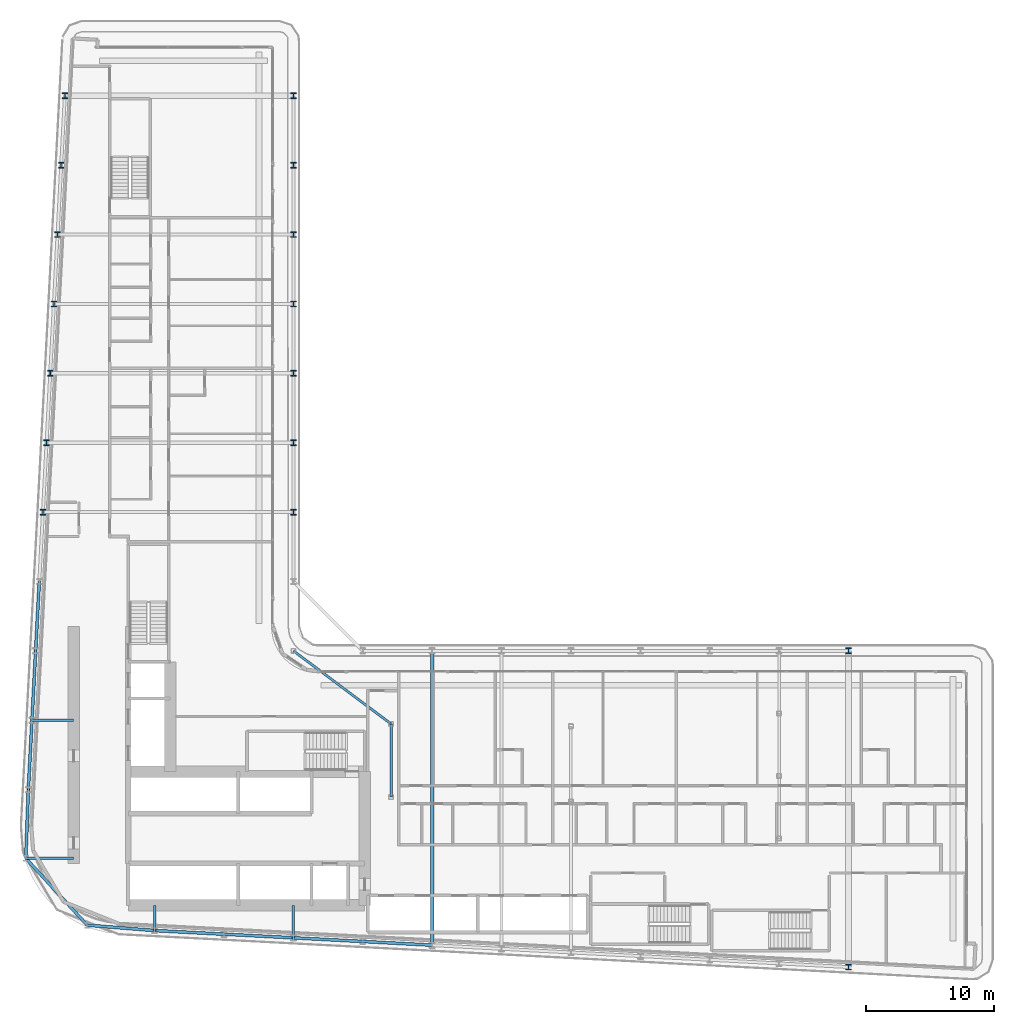
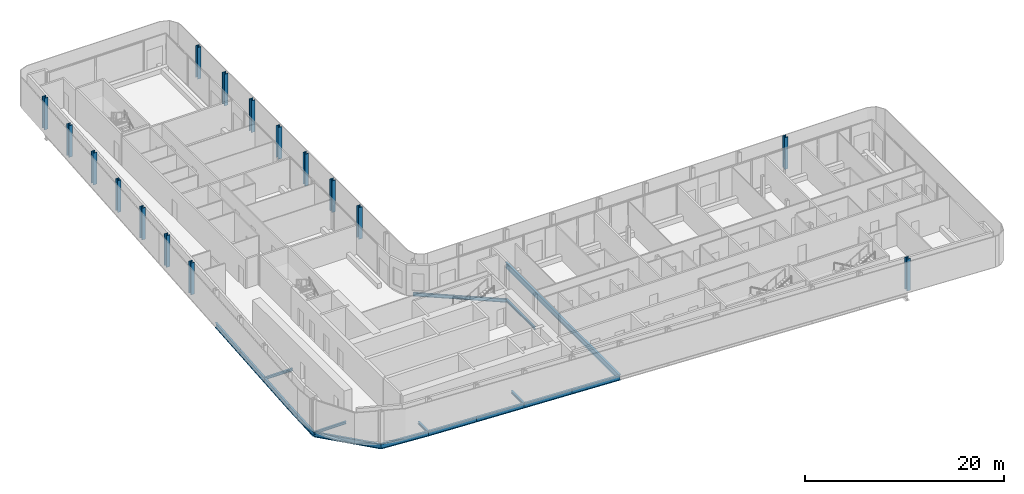
# One storey, part 3 of 26: 17 beams, 16 columns.
"""IFC4 building model written with IfcOpenShell, lengths in metres."""

from ifc_helpers import new_model, si_unit, direction, frame, origin, origin_2d, place, context, subcontext, project, spatial, i_section, extrude, material, material_profile, profile_set, type_object, element, save


model = new_model("IFC4")

# Units and contexts
model_context = context("Model", 3, precision=1e-05, world=origin(), true_north=direction((0.0, 1.0)))
body_context = subcontext(model_context, "Body", "Model", "MODEL_VIEW")
ifc_project = project(units=[si_unit("LENGTHUNIT", "METRE"), si_unit("AREAUNIT", "SQUARE_METRE"), si_unit("VOLUMEUNIT", "CUBIC_METRE"), si_unit("PLANEANGLEUNIT", "RADIAN"), si_unit("MASSUNIT", "GRAM", prefix="KILO")], contexts=[model_context])

# Site, building, storey
site_placement = place(None, origin())
site = spatial("IfcSite", under=ifc_project, at=site_placement, CompositionType="ELEMENT")
building_placement = place(site_placement, origin())
building = spatial("IfcBuilding", under=site, at=building_placement, Name="Kheshtan School and Residences Tower", CompositionType="ELEMENT")
storey_placement = place(building_placement, frame((0.0, 0.0, 105.800048828125)))
storey = spatial("IfcBuildingStorey", under=building, at=storey_placement, Name="L24", CompositionType="ELEMENT", Elevation=105.800048828125)

# Columns
ifc_material = material(Name="Steel ASTM A992 Grade 50", Category="steel")
ifc_material_profile_1 = material_profile(ifc_material, i_section(OverallWidth=0.41796875, OverallDepth=0.455078125, WebThickness=0.042236328125, FlangeThickness=0.067626953125, FilletRadius=0.013671875, at=origin_2d()), Name="W360x551")
ifc_profile_set_1 = profile_set([ifc_material_profile_1], Name="Steel ASTM A992 Grade 50")
column_type = type_object("IfcColumnType", Name="Column C2 W360x551 ASTM A992 Grade 50", PredefinedType="COLUMN", material=ifc_profile_set_1)
for number, where, z_axis, x_axis, name in (
    (1, (90.800048828125, 20.989990234375, 0.0), (0.0, 0.0, 1.0), (1.0, 0.0, 0.0), "Column C006"),
    (2, (90.800048828125, 45.60009765625, 0.0), (0.0, 0.0, 1.0), (1.0, 0.0, 0.0), "Column C068"),
    (3, (28.10595703125, 56.39990234375, 0.0), (0.0, 0.0, 1.0), (1.0, 0.0, 0.0), "Column C080"),
    (4, (47.60009765625, 56.39990234375, 0.0), (0.0, 0.0, 1.0), (1.0, 0.0, 0.0), "Column C081"),
    (5, (28.389892578125, 61.800048828125, 0.0), (0.0, 0.0, 1.0), (1.0, 0.0, 0.0), "Column C082"),
    (6, (47.60009765625, 61.800048828125, 0.0), (0.0, 0.0, 1.0), (1.0, 0.0, 0.0), "Column C083"),
    (7, (28.674072265625, 67.199951171875, 0.0), (0.0, 0.0, 1.0), (1.0, 0.0, 0.0), "Column C084"),
    (8, (47.60009765625, 67.199951171875, 0.0), (0.0, 0.0, 1.0), (1.0, 0.0, 0.0), "Column C085"),
    (9, (28.9580078125, 72.60009765625, 0.0), (0.0, 0.0, 1.0), (1.0, 0.0, 0.0), "Column C086"),
    (10, (47.60009765625, 72.60009765625, 0.0), (0.0, 0.0, 1.0), (1.0, 0.0, 0.0), "Column C087"),
    (11, (29.242919921875, 78.0, 0.0), (0.0, 0.0, 1.0), (1.0, 0.0, 0.0), "Column C088"),
    (12, (47.60009765625, 78.0, 0.0), (0.0, 0.0, 1.0), (1.0, 0.0, 0.0), "Column C089"),
    (13, (29.527099609375, 83.39990234375, 0.0), (0.0, 0.0, 1.0), (1.0, 0.0, 0.0), "Column C090"),
    (14, (47.60009765625, 83.39990234375, 0.0), (0.0, 0.0, 1.0), (1.0, 0.0, 0.0), "Column C091"),
    (15, (29.81103515625, 88.800048828125, 0.0), (0.0, 0.0, 1.0), (1.0, 0.0, 0.0), "Column C098"),
    (16, (47.60009765625, 88.800048828125, 0.0), (0.0, 0.0, 1.0), (1.0, 0.0, 0.0), "Column C099"),
):
    element("IfcColumn", number, at=place(storey_placement, frame(where, z_axis=z_axis, x_axis=x_axis)), inside=storey, type_object=column_type, Name=name, PredefinedType="COLUMN", context=body_context, shape_type="SweptSolid", body=[
        extrude(i_section(OverallWidth=0.41796875, OverallDepth=0.455078125, WebThickness=0.042236328125, FlangeThickness=0.067626953125, FilletRadius=0.013671875, at=origin_2d()), origin(), (0.0, 0.0, 1.0), 3.89990234375),
    ])

# Beams
ifc_material_profile_2 = material_profile(ifc_material, i_section(OverallWidth=0.202880859375, OverallDepth=0.302978515625, WebThickness=0.007568359375, FlangeThickness=0.01318359375, FilletRadius=0.009033203125, at=origin_2d()), Name="W310x60")
ifc_profile_set_2 = profile_set([ifc_material_profile_2], Name="Steel ASTM A992 Grade 50")
beam_type_1 = type_object("IfcBeamType", Name="Beam FB1 W310x60 ASTM A992 Grade 50", PredefinedType="BEAM", material=ifc_profile_set_2)
beam_1_placement = place(storey_placement, frame((47.60009765625, 23.263916015625, -0.301513671875), z_axis=(0.0, 1.0, 0.0), x_axis=(-1.0, 0.0, 0.0)))
element("IfcBeam", 17, at=beam_1_placement, inside=storey, type_object=beam_type_1, Name="Floor beam C020", PredefinedType="BEAM", context=body_context, shape_type="SweptSolid", body=[
    extrude(i_section(OverallWidth=0.202880859375, OverallDepth=0.302978515625, WebThickness=0.007568359375, FlangeThickness=0.01318359375, FilletRadius=0.009033203125, at=origin_2d()), origin(), (0.0, 0.0, 1.0), 2.5361328125),
])
beam_2_placement = place(storey_placement, frame((36.800048828125, 23.83203125, -0.301513671875), z_axis=(0.0, 1.0, 0.0), x_axis=(-1.0, 0.0, 0.0)))
element("IfcBeam", 18, at=beam_2_placement, inside=storey, type_object=beam_type_1, Name="Floor beam C022", PredefinedType="BEAM", context=body_context, shape_type="SweptSolid", body=[
    extrude(i_section(OverallWidth=0.202880859375, OverallDepth=0.302978515625, WebThickness=0.007568359375, FlangeThickness=0.01318359375, FilletRadius=0.009033203125, at=origin_2d()), origin(), (0.0, 0.0, 1.0), 1.968017578125),
])
beam_3_placement = place(storey_placement, frame((26.77197265625, 29.449951171875, -0.301513671875), z_axis=(1.0, 0.0, 0.0), x_axis=(0.0, 1.0, 0.0)))
element("IfcBeam", 19, at=beam_3_placement, inside=storey, type_object=beam_type_1, Name="Floor beam C037", PredefinedType="BEAM", context=body_context, shape_type="SweptSolid", body=[
    extrude(i_section(OverallWidth=0.202880859375, OverallDepth=0.302978515625, WebThickness=0.007568359375, FlangeThickness=0.01318359375, FilletRadius=0.009033203125, at=origin_2d()), origin(), (0.0, 0.0, 1.0), 3.72802734375),
])
beam_4_placement = place(storey_placement, frame((27.2529296875, 40.199951171875, -0.301513671875), z_axis=(1.0, 0.0, 0.0), x_axis=(0.0, 1.0, 0.0)))
element("IfcBeam", 20, at=beam_4_placement, inside=storey, type_object=beam_type_1, Name="Floor beam C056", PredefinedType="BEAM", context=body_context, shape_type="SweptSolid", body=[
    extrude(i_section(OverallWidth=0.202880859375, OverallDepth=0.302978515625, WebThickness=0.007568359375, FlangeThickness=0.01318359375, FilletRadius=0.009033203125, at=origin_2d()), origin(), (0.0, 0.0, 1.0), 3.2470703125),
])
beam_5_placement = place(storey_placement, frame((55.199951171875, 34.23193359375, -0.301513671875), z_axis=(0.0, 1.0, 0.0), x_axis=(-1.0, 0.0, 0.0)))
element("IfcBeam", 21, at=beam_5_placement, inside=storey, type_object=beam_type_1, Name="Floor beam IC", PredefinedType="BEAM", context=body_context, shape_type="SweptSolid", body=[
    extrude(i_section(OverallWidth=0.202880859375, OverallDepth=0.302978515625, WebThickness=0.007568359375, FlangeThickness=0.01318359375, FilletRadius=0.009033203125, at=origin_2d()), origin(), (0.0, 0.0, 1.0), 5.68408203125),
])
ifc_material_profile_3 = material_profile(ifc_material, i_section(OverallWidth=0.180908203125, OverallDepth=0.4169921875, WebThickness=0.010986328125, FlangeThickness=0.018310546875, FilletRadius=0.012451171875, at=origin_2d()), Name="W410x85")
ifc_profile_set_3 = profile_set([ifc_material_profile_3], Name="Steel ASTM A992 Grade 50")
beam_type_2 = type_object("IfcBeamType", Name="Beam FB3 W410x85 ASTM A992 Grade 50", PredefinedType="BEAM", material=ifc_profile_set_3)
beam_6_placement = place(storey_placement, frame((47.60009765625, 45.60009765625, -0.358642578125), z_axis=(0.800798828004, -0.598933416222, 0.0), x_axis=(0.598933416222, 0.800798828004, 0.0)))
element("IfcBeam", 22, at=beam_6_placement, inside=storey, type_object=beam_type_2, Name="Floor beam IC", PredefinedType="BEAM", context=body_context, shape_type="SweptSolid", body=[
    extrude(i_section(OverallWidth=0.180908203125, OverallDepth=0.4169921875, WebThickness=0.010986328125, FlangeThickness=0.018310546875, FilletRadius=0.012451171875, at=origin_2d()), origin(), (0.0, 0.0, 1.0), 9.490234375),
])
ifc_material_profile_4 = material_profile(ifc_material, i_section(OverallWidth=0.2529296875, OverallDepth=0.677978515625, WebThickness=0.01171875, FlangeThickness=0.016357421875, FilletRadius=0.0146484375, at=origin_2d()), Name="W690x125")
ifc_profile_set_4 = profile_set([ifc_material_profile_4], Name="Steel ASTM A992 Grade 50")
beam_type_3 = type_object("IfcBeamType", Name="Beam FB6 W690x125 ASTM A992 Grade 50", PredefinedType="BEAM", material=ifc_profile_set_4)
beam_7_placement = place(storey_placement, frame((58.39990234375, 22.695068359375, -0.489013671875), z_axis=(0.0, 1.0, 0.0), x_axis=(-1.0, 0.0, 0.0)))
element("IfcBeam", 23, at=beam_7_placement, inside=storey, type_object=beam_type_3, Name="Floor beam C018", PredefinedType="BEAM", context=body_context, shape_type="SweptSolid", body=[
    extrude(i_section(OverallWidth=0.2529296875, OverallDepth=0.677978515625, WebThickness=0.01171875, FlangeThickness=0.016357421875, FilletRadius=0.0146484375, at=origin_2d()), origin(), (0.0, 0.0, 1.0), 22.905029296875),
])
ifc_material_profile_5 = material_profile(ifc_material, i_section(OverallWidth=0.22802734375, OverallDepth=0.60302734375, WebThickness=0.010498046875, FlangeThickness=0.014892578125, FilletRadius=0.013427734375, at=origin_2d()), Name="W610x101")
ifc_profile_set_5 = profile_set([ifc_material_profile_5], Name="Steel ASTM A992 Grade 50")
beam_type_4 = type_object("IfcBeamType", Name="Beam SP2 W610x101 ASTM A992 Grade 50", PredefinedType="BEAM", material=ifc_profile_set_5)
for number, where, z_axis, x_axis, name in (
    (24, (58.39990234375, 22.695068359375, -0.45166015625), (-0.998610961136, 0.052689166816, 0.0), (-0.052689166816, -0.998610961136, 0.0), "Spandrel beam C018-C019"),
    (25, (53.0, 22.97998046875, -0.45166015625), (-0.998620447272, 0.05250906864, 0.0), (-0.05250906864, -0.998620447272, 0.0), "Spandrel beam C019-C020"),
):
    element("IfcBeam", number, at=place(storey_placement, frame(where, z_axis=z_axis, x_axis=x_axis)), inside=storey, type_object=beam_type_4, Name=name, PredefinedType="BEAM", context=body_context, shape_type="SweptSolid", body=[
        extrude(i_section(OverallWidth=0.22802734375, OverallDepth=0.60302734375, WebThickness=0.010498046875, FlangeThickness=0.014892578125, FilletRadius=0.013427734375, at=origin_2d()), origin(), (0.0, 0.0, 1.0), 5.407470703125),
    ])
beam_8_placement = place(storey_placement, frame((47.60009765625, 23.263916015625, -0.45166015625), z_axis=(-0.998618203458, 0.052551724256, 0.0), x_axis=(-0.052551724256, -0.998618203458, 0.0)))
element("IfcBeam", 26, at=beam_8_placement, inside=storey, type_object=beam_type_4, Name="Spandrel beam C020-C021", PredefinedType="BEAM", context=body_context, shape_type="SweptSolid", body=[
    extrude(i_section(OverallWidth=0.22802734375, OverallDepth=0.60302734375, WebThickness=0.010498046875, FlangeThickness=0.014892578125, FilletRadius=0.013427734375, at=origin_2d()), origin(), (0.0, 0.0, 1.0), 5.40771484375),
])
beam_9_placement = place(storey_placement, frame((42.199951171875, 23.548095703125, -0.45166015625), z_axis=(-0.998620447272, 0.05250906864, 0.0), x_axis=(-0.05250906864, -0.998620447272, 0.0)))
element("IfcBeam", 27, at=beam_9_placement, inside=storey, type_object=beam_type_4, Name="Spandrel beam C021-C022", PredefinedType="BEAM", context=body_context, shape_type="SweptSolid", body=[
    extrude(i_section(OverallWidth=0.22802734375, OverallDepth=0.60302734375, WebThickness=0.010498046875, FlangeThickness=0.014892578125, FilletRadius=0.013427734375, at=origin_2d()), origin(), (0.0, 0.0, 1.0), 5.407470703125),
])
beam_10_placement = place(storey_placement, frame((36.800048828125, 23.83203125, -0.45166015625), z_axis=(-0.996847030951, 0.079347318067, 0.0), x_axis=(-0.079347318067, -0.996847030951, 0.0)))
element("IfcBeam", 28, at=beam_10_placement, inside=storey, type_object=beam_type_4, Name="Spandrel beam C022-C024", PredefinedType="BEAM", context=body_context, shape_type="SweptSolid", body=[
    extrude(i_section(OverallWidth=0.22802734375, OverallDepth=0.60302734375, WebThickness=0.010498046875, FlangeThickness=0.014892578125, FilletRadius=0.013427734375, at=origin_2d()), origin(), (0.0, 0.0, 1.0), 5.267578125),
])
beam_11_placement = place(storey_placement, frame((31.549072265625, 24.25, -0.45166015625), z_axis=(-0.676530541183, 0.73641457539, 0.0), x_axis=(-0.73641457539, -0.676530541183, 0.0)))
element("IfcBeam", 29, at=beam_11_placement, inside=storey, type_object=beam_type_4, Name="Spandrel beam C024-C037", PredefinedType="BEAM", context=body_context, shape_type="SweptSolid", body=[
    extrude(i_section(OverallWidth=0.22802734375, OverallDepth=0.60302734375, WebThickness=0.010498046875, FlangeThickness=0.014892578125, FilletRadius=0.013427734375, at=origin_2d()), origin(), (0.0, 0.0, 1.0), 7.061279296875),
])
beam_12_placement = place(storey_placement, frame((26.77197265625, 29.449951171875, -0.45166015625), z_axis=(0.036800828439, 0.999322620091, 0.0), x_axis=(-0.999322620091, 0.036800828439, 0.0)))
element("IfcBeam", 30, at=beam_12_placement, inside=storey, type_object=beam_type_4, Name="Spandrel beam C037-C052", PredefinedType="BEAM", context=body_context, shape_type="SweptSolid", body=[
    extrude(i_section(OverallWidth=0.22802734375, OverallDepth=0.60302734375, WebThickness=0.010498046875, FlangeThickness=0.014892578125, FilletRadius=0.013427734375, at=origin_2d()), origin(), (0.0, 0.0, 1.0), 5.353759765625),
])
beam_13_placement = place(storey_placement, frame((26.968994140625, 34.800048828125, -0.45166015625), z_axis=(0.05250906864, 0.998620447272, 0.0), x_axis=(-0.998620447272, 0.05250906864, 0.0)))
element("IfcBeam", 31, at=beam_13_placement, inside=storey, type_object=beam_type_4, Name="Spandrel beam C052-C056", PredefinedType="BEAM", context=body_context, shape_type="SweptSolid", body=[
    extrude(i_section(OverallWidth=0.22802734375, OverallDepth=0.60302734375, WebThickness=0.010498046875, FlangeThickness=0.014892578125, FilletRadius=0.013427734375, at=origin_2d()), origin(), (0.0, 0.0, 1.0), 5.407470703125),
])
beam_14_placement = place(storey_placement, frame((27.2529296875, 40.199951171875, -0.45166015625), z_axis=(0.052551724256, 0.998618203458, 0.0), x_axis=(-0.998618203458, 0.052551724256, 0.0)))
element("IfcBeam", 32, at=beam_14_placement, inside=storey, type_object=beam_type_4, Name="Spandrel beam C056-C059", PredefinedType="BEAM", context=body_context, shape_type="SweptSolid", body=[
    extrude(i_section(OverallWidth=0.22802734375, OverallDepth=0.60302734375, WebThickness=0.010498046875, FlangeThickness=0.014892578125, FilletRadius=0.013427734375, at=origin_2d()), origin(), (0.0, 0.0, 1.0), 5.40771484375),
])
beam_15_placement = place(storey_placement, frame((27.537109375, 45.60009765625, -0.45166015625), z_axis=(0.052689166816, 0.998610961136, 0.0), x_axis=(-0.998610961136, 0.052689166816, 0.0)))
element("IfcBeam", 33, at=beam_15_placement, inside=storey, type_object=beam_type_4, Name="Spandrel beam C059-C078", PredefinedType="BEAM", context=body_context, shape_type="SweptSolid", body=[
    extrude(i_section(OverallWidth=0.22802734375, OverallDepth=0.60302734375, WebThickness=0.010498046875, FlangeThickness=0.014892578125, FilletRadius=0.013427734375, at=origin_2d()), origin(), (0.0, 0.0, 1.0), 5.407470703125),
])

save(model, "model.ifc")
